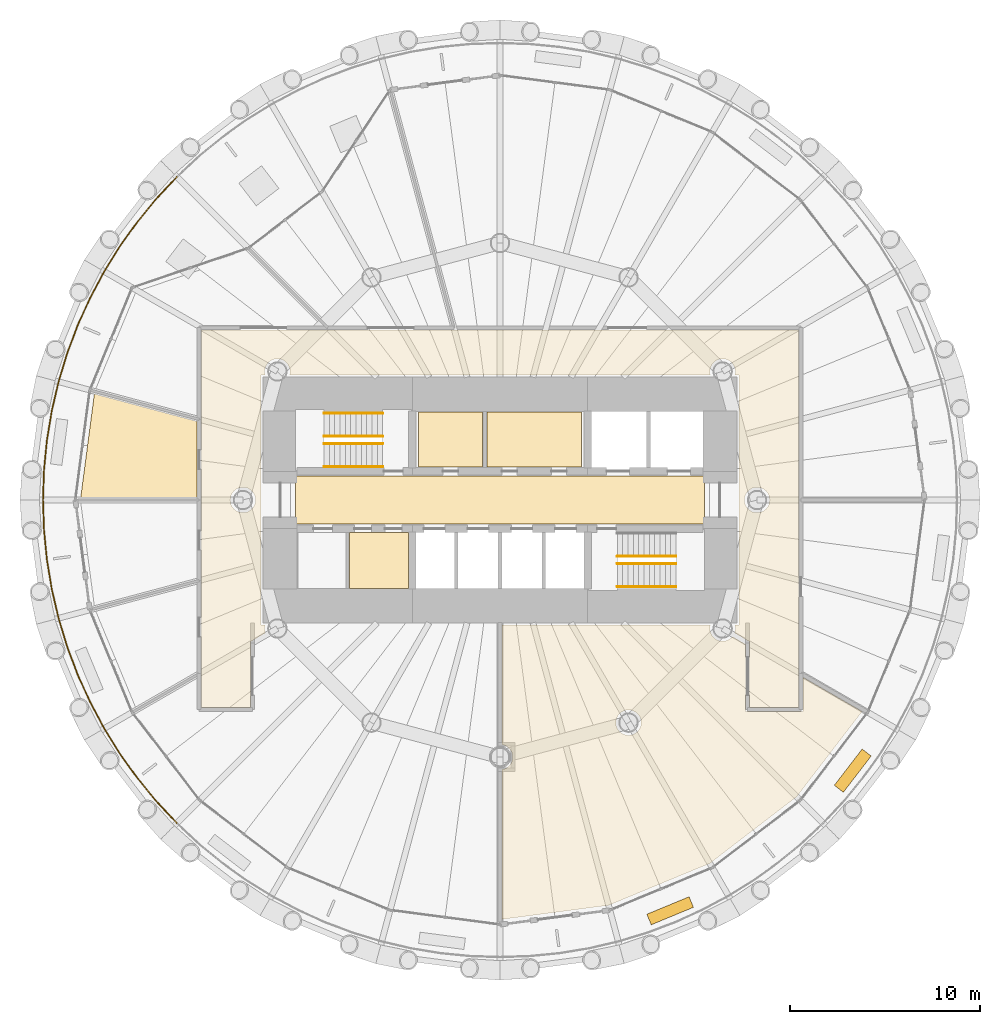
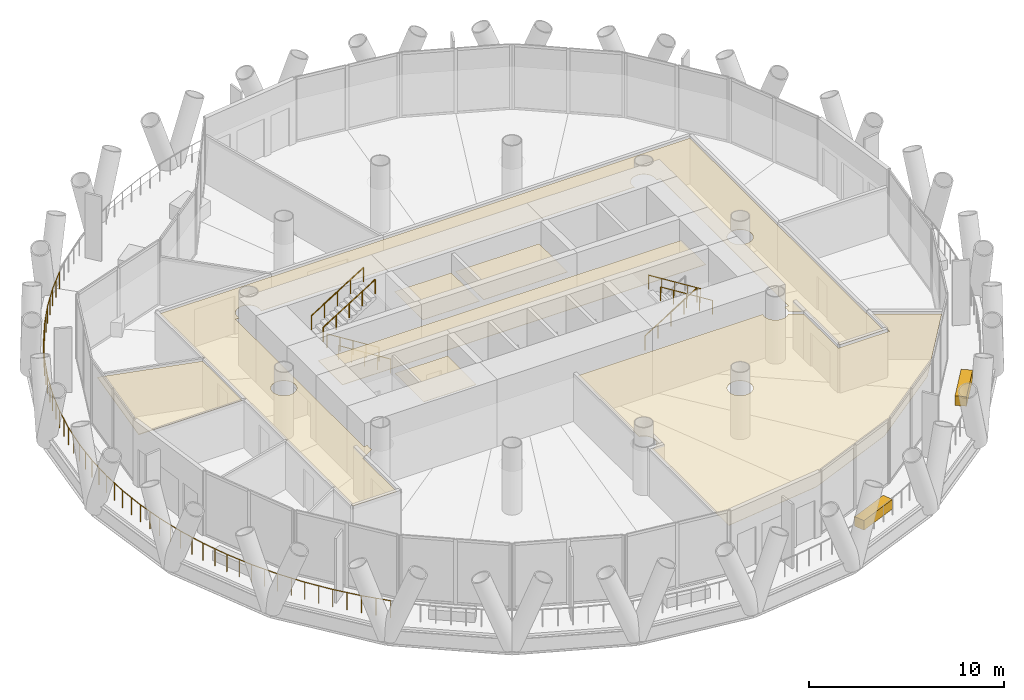
# One storey, part 12 of 14: 9 coverings, 8 railings.
"""IFC4 building model written with IfcOpenShell, lengths in metres."""

from ifc_helpers import new_model, si_unit, direction, frame, origin, origin_2d, place, context, subcontext, project, spatial, polyline, rectangle, circle, outline, extrude, material, layer, layer_set, type_object, element, save


model = new_model("IFC4")

# Units and contexts
model_context = context("Model", 3, precision=1e-05, world=origin(), true_north=direction((0.0, 1.0)))
body_context = subcontext(model_context, "Body", "Model", "MODEL_VIEW")
ifc_project = project(units=[si_unit("LENGTHUNIT", "METRE"), si_unit("AREAUNIT", "SQUARE_METRE"), si_unit("VOLUMEUNIT", "CUBIC_METRE"), si_unit("PLANEANGLEUNIT", "RADIAN"), si_unit("MASSUNIT", "GRAM", prefix="KILO")], contexts=[model_context])

# Site, building, storey
site_placement = place(None, origin())
site = spatial("IfcSite", under=ifc_project, at=site_placement, CompositionType="ELEMENT")
building_placement = place(site_placement, origin())
building = spatial("IfcBuilding", under=site, at=building_placement, Name="Qaws Media Tower", CompositionType="ELEMENT")
storey_placement = place(building_placement, frame((0.0, 0.0, 160.39990234375)))
storey = spatial("IfcBuildingStorey", under=building, at=storey_placement, Name="L36", CompositionType="ELEMENT", Elevation=160.39990234375)

# Covering
ifc_material_1 = material(Name="40 perforated acoustic panels with mineral wool backing, suspended", Category="mineral fibre")
ifc_layer_1 = layer(ifc_material_1, 0.0400390625)
ifc_layer_set_1 = layer_set([ifc_layer_1], Name="Acoustic panel ceiling 40")
covering_type_1 = type_object("IfcCoveringType", Name="Acoustic panel ceiling 40", PredefinedType="CEILING", material=ifc_layer_set_1)
covering_1_placement = place(storey_placement, frame((0.0, 0.0, 2.85009765625)))
element("IfcCovering", 1, at=covering_1_placement, inside=storey, type_object=covering_type_1, Name="CL3 ceiling L36-05 Interview room", PredefinedType="CEILING", context=body_context, shape_type="SweptSolid", body=[
    extrude(outline(polyline([(38.70068359375, 55.590576171875), (44.08740234375, 54.147216796875), (44.08740234375, 50.112548828125), (37.9794921875, 50.112548828125), (38.70068359375, 55.590576171875)])), origin(), (0.0, 0.0, 1.0), 0.0400390625),
])

# Railing
ifc_material_2 = material(Name="Stainless steel and glass guard", Category="steel")
railing_type_1 = type_object("IfcRailingType", Name="Balcony guard 1100", PredefinedType="GUARDRAIL", material=ifc_material_2)
railing_placement = place(storey_placement, frame((43.029541015625, 66.970458984375, 0.0)))
element("IfcRailing", 2, at=railing_placement, inside=storey, type_object=railing_type_1, Name="GR1 balcony guard L36-2", PredefinedType="GUARDRAIL", context=body_context, shape_type="SweptSolid", body=[
    extrude(circle(Radius=0.02392578125, at=origin_2d()), frame((0.0, 0.0, 1.076171875), z_axis=(-0.683646341922, -0.729813455053, 0.0), x_axis=(0.729813455053, -0.683646341922, 0.0)), (0.0, 0.0, 1.0), 1.570556640625),
    extrude(circle(Radius=0.02392578125, at=origin_2d()), frame((-1.07373046875, -1.146240234375, 1.076171875), z_axis=(-0.63444763195, -0.77296584809, 0.0), x_axis=(0.77296584809, -0.63444763195, 0.0)), (0.0, 0.0, 1.0), 1.5703125),
    extrude(circle(Radius=0.02392578125, at=origin_2d()), frame((-2.070068359375, -2.360107421875, 1.076171875), z_axis=(-0.582472724726, -0.812850247555, 0.0), x_axis=(0.812850247555, -0.582472724726, 0.0)), (0.0, 0.0, 1.0), 1.570556640625),
    extrude(circle(Radius=0.02392578125, at=origin_2d()), frame((-2.98486328125, -3.63671875, 1.076171875), z_axis=(-0.528055328802, -0.849209967984, 0.0), x_axis=(0.849209967984, -0.528055328802, 0.0)), (0.0, 0.0, 1.0), 1.570556640625),
    extrude(circle(Radius=0.02392578125, at=origin_2d()), frame((-3.814208984375, -4.970458984375, 1.076171875), z_axis=(-0.471362677406, -0.881939468642, 0.0), x_axis=(0.881939468642, -0.471362677406, 0.0)), (0.0, 0.0, 1.0), 1.5703125),
    extrude(circle(Radius=0.02392578125, at=origin_2d()), frame((-4.554443359375, -6.35546875, 1.076171875), z_axis=(-0.412690076585, -0.910871506135, 0.0), x_axis=(0.910871506135, -0.412690076585, 0.0)), (0.0, 0.0, 1.0), 1.570556640625),
    extrude(circle(Radius=0.02392578125, at=origin_2d()), frame((-5.20263671875, -7.7861328125, 1.076171875), z_axis=(-0.35228169997, -0.935894013159, 0.0), x_axis=(0.935894013159, -0.35228169997, 0.0)), (0.0, 0.0, 1.0), 1.5703125),
    extrude(circle(Radius=0.02392578125, at=origin_2d()), frame((-5.755859375, -9.255859375, 1.076171875), z_axis=(-0.290227424961, -0.956957701155, 0.0), x_axis=(0.956957701155, -0.290227424961, 0.0)), (0.0, 0.0, 1.0), 1.570556640625),
    extrude(circle(Radius=0.02392578125, at=origin_2d()), frame((-6.211669921875, -10.7587890625, 1.076171875), z_axis=(-0.227106763871, -0.973869866976, 0.0), x_axis=(0.973869866976, -0.227106763871, 0.0)), (0.0, 0.0, 1.0), 1.570556640625),
    extrude(circle(Radius=0.02392578125, at=origin_2d()), frame((-6.568359375, -12.288330078125, 1.076171875), z_axis=(-0.162911522757, -0.98664068219, 0.0), x_axis=(0.98664068219, -0.162911522757, 0.0)), (0.0, 0.0, 1.0), 1.570556640625),
    extrude(circle(Radius=0.02392578125, at=origin_2d()), frame((-6.82421875, -13.837890625, 1.076171875), z_axis=(-0.098087656745, -0.995177778889, 0.0), x_axis=(0.995177778889, -0.098087656745, 0.0)), (0.0, 0.0, 1.0), 1.570556640625),
    extrude(circle(Radius=0.02392578125, at=origin_2d()), frame((-6.978271484375, -15.40087890625, 1.076171875), z_axis=(-0.03264707697, -0.999466942107, 0.0), x_axis=(0.999466942107, -0.03264707697, 0.0)), (0.0, 0.0, 1.0), 1.5703125),
    extrude(circle(Radius=0.02392578125, at=origin_2d()), frame((-7.029541015625, -16.970458984375, 1.076171875), z_axis=(0.03264707697, -0.999466942107, 0.0), x_axis=(0.999466942107, 0.03264707697, 0.0)), (0.0, 0.0, 1.0), 1.5703125),
    extrude(circle(Radius=0.02392578125, at=origin_2d()), frame((-6.978271484375, -18.5400390625, 1.076171875), z_axis=(0.098087656745, -0.995177778889, 0.0), x_axis=(0.995177778889, 0.098087656745, 0.0)), (0.0, 0.0, 1.0), 1.570556640625),
    extrude(circle(Radius=0.02392578125, at=origin_2d()), frame((-6.82421875, -20.10302734375, 1.076171875), z_axis=(0.162911522757, -0.98664068219, 0.0), x_axis=(0.98664068219, 0.162911522757, 0.0)), (0.0, 0.0, 1.0), 1.570556640625),
    extrude(circle(Radius=0.02392578125, at=origin_2d()), frame((-6.568359375, -21.652587890625, 1.076171875), z_axis=(0.227106763871, -0.973869866976, 0.0), x_axis=(0.973869866976, 0.227106763871, 0.0)), (0.0, 0.0, 1.0), 1.570556640625),
    extrude(circle(Radius=0.02392578125, at=origin_2d()), frame((-6.211669921875, -23.18212890625, 1.076171875), z_axis=(0.290227424961, -0.956957701155, 0.0), x_axis=(0.956957701155, 0.290227424961, 0.0)), (0.0, 0.0, 1.0), 1.570556640625),
    extrude(circle(Radius=0.02392578125, at=origin_2d()), frame((-5.755859375, -24.68505859375, 1.076171875), z_axis=(0.35228169997, -0.935894013159, 0.0), x_axis=(0.935894013159, 0.35228169997, 0.0)), (0.0, 0.0, 1.0), 1.5703125),
    extrude(circle(Radius=0.02392578125, at=origin_2d()), frame((-5.20263671875, -26.15478515625, 1.076171875), z_axis=(0.412690076585, -0.910871506135, 0.0), x_axis=(0.910871506135, 0.412690076585, 0.0)), (0.0, 0.0, 1.0), 1.570556640625),
    extrude(circle(Radius=0.02392578125, at=origin_2d()), frame((-4.554443359375, -27.58544921875, 1.076171875), z_axis=(0.471362677406, -0.881939468642, 0.0), x_axis=(0.881939468642, 0.471362677406, 0.0)), (0.0, 0.0, 1.0), 1.5703125),
    extrude(circle(Radius=0.02392578125, at=origin_2d()), frame((-3.814208984375, -28.970458984375, 1.076171875), z_axis=(0.528055328802, -0.849209967984, 0.0), x_axis=(0.849209967984, 0.528055328802, 0.0)), (0.0, 0.0, 1.0), 1.570556640625),
    extrude(circle(Radius=0.02392578125, at=origin_2d()), frame((-2.98486328125, -30.30419921875, 1.076171875), z_axis=(0.582472724726, -0.812850247555, 0.0), x_axis=(0.812850247555, 0.582472724726, 0.0)), (0.0, 0.0, 1.0), 1.570556640625),
    extrude(circle(Radius=0.02392578125, at=origin_2d()), frame((-2.070068359375, -31.580810546875, 1.076171875), z_axis=(0.63444763195, -0.77296584809, 0.0), x_axis=(0.77296584809, 0.63444763195, 0.0)), (0.0, 0.0, 1.0), 1.5703125),
    extrude(circle(Radius=0.02392578125, at=origin_2d()), frame((-1.07373046875, -32.794677734375, 1.076171875), z_axis=(0.683646341922, -0.729813455053, 0.0), x_axis=(0.729813455053, 0.683646341922, 0.0)), (0.0, 0.0, 1.0), 1.570556640625),
    extrude(circle(Radius=0.02099609375, at=origin_2d()), origin(), (0.0, 0.0, 1.0), 1.052001953125),
    extrude(circle(Radius=0.02099609375, at=origin_2d()), frame((-0.536865234375, -0.5732421875, 0.0)), (0.0, 0.0, 1.0), 1.052001953125),
    extrude(circle(Radius=0.02099609375, at=origin_2d()), frame((-1.07373046875, -1.146240234375, 0.0)), (0.0, 0.0, 1.0), 1.052001953125),
    extrude(circle(Radius=0.02099609375, at=origin_2d()), frame((-1.57177734375, -1.753173828125, 0.0)), (0.0, 0.0, 1.0), 1.052001953125),
    extrude(circle(Radius=0.02099609375, at=origin_2d()), frame((-2.070068359375, -2.360107421875, 0.0)), (0.0, 0.0, 1.0), 1.052001953125),
    extrude(circle(Radius=0.02099609375, at=origin_2d()), frame((-2.52734375, -2.99853515625, 0.0)), (0.0, 0.0, 1.0), 1.052001953125),
    extrude(circle(Radius=0.02099609375, at=origin_2d()), frame((-2.98486328125, -3.63671875, 0.0)), (0.0, 0.0, 1.0), 1.052001953125),
    extrude(circle(Radius=0.02099609375, at=origin_2d()), frame((-3.3994140625, -4.3037109375, 0.0)), (0.0, 0.0, 1.0), 1.052001953125),
    extrude(circle(Radius=0.02099609375, at=origin_2d()), frame((-3.814208984375, -4.970458984375, 0.0)), (0.0, 0.0, 1.0), 1.052001953125),
    extrude(circle(Radius=0.02099609375, at=origin_2d()), frame((-4.184326171875, -5.6630859375, 0.0)), (0.0, 0.0, 1.0), 1.052001953125),
    extrude(circle(Radius=0.02099609375, at=origin_2d()), frame((-4.554443359375, -6.35546875, 0.0)), (0.0, 0.0, 1.0), 1.052001953125),
    extrude(circle(Radius=0.02099609375, at=origin_2d()), frame((-4.87841796875, -7.07080078125, 0.0)), (0.0, 0.0, 1.0), 1.052001953125),
    extrude(circle(Radius=0.02099609375, at=origin_2d()), frame((-5.20263671875, -7.7861328125, 0.0)), (0.0, 0.0, 1.0), 1.052001953125),
    extrude(circle(Radius=0.02099609375, at=origin_2d()), frame((-5.479248046875, -8.52099609375, 0.0)), (0.0, 0.0, 1.0), 1.052001953125),
    extrude(circle(Radius=0.02099609375, at=origin_2d()), frame((-5.755859375, -9.255859375, 0.0)), (0.0, 0.0, 1.0), 1.052001953125),
    extrude(circle(Radius=0.02099609375, at=origin_2d()), frame((-5.98388671875, -10.00732421875, 0.0)), (0.0, 0.0, 1.0), 1.052001953125),
    extrude(circle(Radius=0.02099609375, at=origin_2d()), frame((-6.211669921875, -10.7587890625, 0.0)), (0.0, 0.0, 1.0), 1.052001953125),
    extrude(circle(Radius=0.02099609375, at=origin_2d()), frame((-6.39013671875, -11.5234375, 0.0)), (0.0, 0.0, 1.0), 1.052001953125),
    extrude(circle(Radius=0.02099609375, at=origin_2d()), frame((-6.568359375, -12.288330078125, 0.0)), (0.0, 0.0, 1.0), 1.052001953125),
    extrude(circle(Radius=0.02099609375, at=origin_2d()), frame((-6.6962890625, -13.06298828125, 0.0)), (0.0, 0.0, 1.0), 1.052001953125),
    extrude(circle(Radius=0.02099609375, at=origin_2d()), frame((-6.82421875, -13.837890625, 0.0)), (0.0, 0.0, 1.0), 1.052001953125),
    extrude(circle(Radius=0.02099609375, at=origin_2d()), frame((-6.9013671875, -14.619384765625, 0.0)), (0.0, 0.0, 1.0), 1.052001953125),
    extrude(circle(Radius=0.02099609375, at=origin_2d()), frame((-6.978271484375, -15.40087890625, 0.0)), (0.0, 0.0, 1.0), 1.052001953125),
    extrude(circle(Radius=0.02099609375, at=origin_2d()), frame((-7.00390625, -16.185546875, 0.0)), (0.0, 0.0, 1.0), 1.052001953125),
    extrude(circle(Radius=0.02099609375, at=origin_2d()), frame((-7.029541015625, -16.970458984375, 0.0)), (0.0, 0.0, 1.0), 1.052001953125),
    extrude(circle(Radius=0.02099609375, at=origin_2d()), frame((-7.00390625, -17.75537109375, 0.0)), (0.0, 0.0, 1.0), 1.052001953125),
    extrude(circle(Radius=0.02099609375, at=origin_2d()), frame((-6.978271484375, -18.5400390625, 0.0)), (0.0, 0.0, 1.0), 1.052001953125),
    extrude(circle(Radius=0.02099609375, at=origin_2d()), frame((-6.9013671875, -19.321533203125, 0.0)), (0.0, 0.0, 1.0), 1.052001953125),
    extrude(circle(Radius=0.02099609375, at=origin_2d()), frame((-6.82421875, -20.10302734375, 0.0)), (0.0, 0.0, 1.0), 1.052001953125),
    extrude(circle(Radius=0.02099609375, at=origin_2d()), frame((-6.6962890625, -20.8779296875, 0.0)), (0.0, 0.0, 1.0), 1.052001953125),
    extrude(circle(Radius=0.02099609375, at=origin_2d()), frame((-6.568359375, -21.652587890625, 0.0)), (0.0, 0.0, 1.0), 1.052001953125),
    extrude(circle(Radius=0.02099609375, at=origin_2d()), frame((-6.39013671875, -22.41748046875, 0.0)), (0.0, 0.0, 1.0), 1.052001953125),
    extrude(circle(Radius=0.02099609375, at=origin_2d()), frame((-6.211669921875, -23.18212890625, 0.0)), (0.0, 0.0, 1.0), 1.052001953125),
    extrude(circle(Radius=0.02099609375, at=origin_2d()), frame((-5.98388671875, -23.93359375, 0.0)), (0.0, 0.0, 1.0), 1.052001953125),
    extrude(circle(Radius=0.02099609375, at=origin_2d()), frame((-5.755859375, -24.68505859375, 0.0)), (0.0, 0.0, 1.0), 1.052001953125),
    extrude(circle(Radius=0.02099609375, at=origin_2d()), frame((-5.479248046875, -25.419921875, 0.0)), (0.0, 0.0, 1.0), 1.052001953125),
    extrude(circle(Radius=0.02099609375, at=origin_2d()), frame((-5.20263671875, -26.15478515625, 0.0)), (0.0, 0.0, 1.0), 1.052001953125),
    extrude(circle(Radius=0.02099609375, at=origin_2d()), frame((-4.87841796875, -26.8701171875, 0.0)), (0.0, 0.0, 1.0), 1.052001953125),
    extrude(circle(Radius=0.02099609375, at=origin_2d()), frame((-4.554443359375, -27.58544921875, 0.0)), (0.0, 0.0, 1.0), 1.052001953125),
    extrude(circle(Radius=0.02099609375, at=origin_2d()), frame((-4.184326171875, -28.27783203125, 0.0)), (0.0, 0.0, 1.0), 1.052001953125),
    extrude(circle(Radius=0.02099609375, at=origin_2d()), frame((-3.814208984375, -28.970458984375, 0.0)), (0.0, 0.0, 1.0), 1.052001953125),
    extrude(circle(Radius=0.02099609375, at=origin_2d()), frame((-3.3994140625, -29.63720703125, 0.0)), (0.0, 0.0, 1.0), 1.052001953125),
    extrude(circle(Radius=0.02099609375, at=origin_2d()), frame((-2.98486328125, -30.30419921875, 0.0)), (0.0, 0.0, 1.0), 1.052001953125),
    extrude(circle(Radius=0.02099609375, at=origin_2d()), frame((-2.52734375, -30.9423828125, 0.0)), (0.0, 0.0, 1.0), 1.052001953125),
    extrude(circle(Radius=0.02099609375, at=origin_2d()), frame((-2.070068359375, -31.580810546875, 0.0)), (0.0, 0.0, 1.0), 1.052001953125),
    extrude(circle(Radius=0.02099609375, at=origin_2d()), frame((-1.57177734375, -32.187744140625, 0.0)), (0.0, 0.0, 1.0), 1.052001953125),
    extrude(circle(Radius=0.02099609375, at=origin_2d()), frame((-1.07373046875, -32.794677734375, 0.0)), (0.0, 0.0, 1.0), 1.052001953125),
    extrude(circle(Radius=0.02099609375, at=origin_2d()), frame((-0.536865234375, -33.36767578125, 0.0)), (0.0, 0.0, 1.0), 1.052001953125),
    extrude(circle(Radius=0.02099609375, at=origin_2d()), frame((0.0, -33.94091796875, 0.0)), (0.0, 0.0, 1.0), 1.052001953125),
])

# Coverings
ifc_material_3 = material(Name="600 x 600 mineral fibre tiles in exposed grid, suspended", Category="mineral fibre")
ifc_layer_2 = layer(ifc_material_3, 0.02001953125)
ifc_layer_set_2 = layer_set([ifc_layer_2], Name="Mineral fibre tile ceiling 20")
covering_type_2 = type_object("IfcCoveringType", Name="Mineral fibre tile ceiling 20", PredefinedType="CEILING", material=ifc_layer_set_2)
covering_2_placement = place(storey_placement, frame((0.0, 0.0, 2.85009765625)))
element("IfcCovering", 3, at=covering_2_placement, inside=storey, type_object=covering_type_2, Name="CL1 ceiling L36-C07 Ladies toilets", PredefinedType="CEILING", context=body_context, shape_type="SweptSolid", body=[
    extrude(outline(polyline([(55.719970703125, 51.719970703125), (55.719970703125, 54.6298828125), (59.080078125, 54.6298828125), (59.080078125, 51.719970703125), (55.719970703125, 51.719970703125)])), origin(), (0.0, 0.0, 1.0), 0.02001953125),
])
covering_3_placement = place(storey_placement, frame((0.0, 0.0, 2.85009765625)))
element("IfcCovering", 4, at=covering_3_placement, inside=storey, type_object=covering_type_2, Name="CL1 ceiling L36-C08 Gents toilets", PredefinedType="CEILING", context=body_context, shape_type="SweptSolid", body=[
    extrude(outline(polyline([(59.320068359375, 51.719970703125), (59.320068359375, 54.6298828125), (64.280029296875, 54.6298828125), (64.280029296875, 51.719970703125), (59.320068359375, 51.719970703125)])), origin(), (0.0, 0.0, 1.0), 0.02001953125),
])
covering_4_placement = place(storey_placement, frame((0.0, 0.0, 2.85009765625)))
element("IfcCovering", 5, at=covering_4_placement, inside=storey, type_object=covering_type_2, Name="CL1 ceiling L36-01 Corridor", PredefinedType="CEILING", context=body_context, shape_type="SweptSolid", body=[
    extrude(outline(polyline([(44.3125, 39.112548828125), (44.3125, 58.9375), (75.6875, 58.9375), (75.6875, 39.112548828125), (73.112548828125, 39.112548828125), (73.112548828125, 42.559326171875), (72.31689453125, 43.018798828125), (72.336669921875, 43.0771484375), (72.353515625, 43.162841796875), (72.359375, 43.25), (72.353515625, 43.337158203125), (72.336669921875, 43.4228515625), (72.33154296875, 43.4375), (72.5625, 43.4375), (72.5625, 56.5625), (72.33154296875, 56.5625), (72.336669921875, 56.5771484375), (72.353515625, 56.662841796875), (72.359375, 56.75), (72.353515625, 56.837158203125), (72.336669921875, 56.9228515625), (72.30859375, 57.005615234375), (72.269775390625, 57.083984375), (72.22119140625, 57.15673828125), (72.163818359375, 57.222412109375), (72.097900390625, 57.280029296875), (72.025390625, 57.32861328125), (71.947021484375, 57.3671875), (71.8642578125, 57.395263671875), (71.778564453125, 57.412353515625), (71.69140625, 57.41796875), (71.604248046875, 57.412353515625), (71.5185546875, 57.395263671875), (71.435791015625, 57.3671875), (71.357421875, 57.32861328125), (71.28466796875, 57.280029296875), (71.218994140625, 57.222412109375), (71.161376953125, 57.15673828125), (71.11279296875, 57.083984375), (71.07421875, 57.005615234375), (71.046142578125, 56.9228515625), (71.029052734375, 56.837158203125), (71.023193359375, 56.75), (71.029052734375, 56.662841796875), (71.046142578125, 56.5771484375), (71.051025390625, 56.5625), (48.948974609375, 56.5625), (48.953857421875, 56.5771484375), (48.970947265625, 56.662841796875), (48.976806640625, 56.75), (48.970947265625, 56.837158203125), (48.953857421875, 56.9228515625), (48.92578125, 57.005615234375), (48.88720703125, 57.083984375), (48.838623046875, 57.15673828125), (48.781005859375, 57.222412109375), (48.71533203125, 57.280029296875), (48.642578125, 57.32861328125), (48.564208984375, 57.3671875), (48.4814453125, 57.395263671875), (48.395751953125, 57.412353515625), (48.30859375, 57.41796875), (48.221435546875, 57.412353515625), (48.1357421875, 57.395263671875), (48.052978515625, 57.3671875), (47.974609375, 57.32861328125), (47.902099609375, 57.280029296875), (47.836181640625, 57.222412109375), (47.77880859375, 57.15673828125), (47.730224609375, 57.083984375), (47.69140625, 57.005615234375), (47.663330078125, 56.9228515625), (47.646484375, 56.837158203125), (47.640625, 56.75), (47.646484375, 56.662841796875), (47.663330078125, 56.5771484375), (47.66845703125, 56.5625), (47.4375, 56.5625), (47.4375, 43.4375), (47.66845703125, 43.4375), (47.663330078125, 43.4228515625), (47.646484375, 43.337158203125), (47.640625, 43.25), (47.646484375, 43.162841796875), (47.663330078125, 43.0771484375), (47.68310546875, 43.018798828125), (46.887451171875, 42.559326171875), (46.887451171875, 39.112548828125), (44.3125, 39.112548828125)]), holes=[polyline([(47.1171875, 49.744384765625), (47.145263671875, 49.8271484375), (47.162353515625, 49.912841796875), (47.16796875, 50.0), (47.162353515625, 50.087158203125), (47.145263671875, 50.1728515625), (47.1171875, 50.255615234375), (47.07861328125, 50.333984375), (47.030029296875, 50.40673828125), (46.972412109375, 50.472412109375), (46.90673828125, 50.530029296875), (46.833984375, 50.57861328125), (46.755615234375, 50.6171875), (46.6728515625, 50.645263671875), (46.587158203125, 50.662353515625), (46.5, 50.66796875), (46.412841796875, 50.662353515625), (46.3271484375, 50.645263671875), (46.244384765625, 50.6171875), (46.166015625, 50.57861328125), (46.09326171875, 50.530029296875), (46.027587890625, 50.472412109375), (45.969970703125, 50.40673828125), (45.92138671875, 50.333984375), (45.8828125, 50.255615234375), (45.854736328125, 50.1728515625), (45.837646484375, 50.087158203125), (45.83203125, 50.0), (45.837646484375, 49.912841796875), (45.854736328125, 49.8271484375), (45.8828125, 49.744384765625), (45.92138671875, 49.666015625), (45.969970703125, 49.59326171875), (46.027587890625, 49.527587890625), (46.09326171875, 49.469970703125), (46.166015625, 49.42138671875), (46.244384765625, 49.3828125), (46.3271484375, 49.354736328125), (46.412841796875, 49.337646484375), (46.5, 49.33203125), (46.587158203125, 49.337646484375), (46.6728515625, 49.354736328125), (46.755615234375, 49.3828125), (46.833984375, 49.42138671875), (46.90673828125, 49.469970703125), (46.972412109375, 49.527587890625), (47.030029296875, 49.59326171875), (47.07861328125, 49.666015625), (47.1171875, 49.744384765625)]), polyline([(74.145263671875, 49.8271484375), (74.162353515625, 49.912841796875), (74.16796875, 50.0), (74.162353515625, 50.087158203125), (74.145263671875, 50.1728515625), (74.1171875, 50.255615234375), (74.07861328125, 50.333984375), (74.030029296875, 50.40673828125), (73.972412109375, 50.472412109375), (73.90673828125, 50.530029296875), (73.833984375, 50.57861328125), (73.755615234375, 50.6171875), (73.6728515625, 50.645263671875), (73.587158203125, 50.662353515625), (73.5, 50.66796875), (73.412841796875, 50.662353515625), (73.3271484375, 50.645263671875), (73.244384765625, 50.6171875), (73.166015625, 50.57861328125), (73.09326171875, 50.530029296875), (73.027587890625, 50.472412109375), (72.969970703125, 50.40673828125), (72.92138671875, 50.333984375), (72.8828125, 50.255615234375), (72.854736328125, 50.1728515625), (72.837646484375, 50.087158203125), (72.83203125, 50.0), (72.837646484375, 49.912841796875), (72.854736328125, 49.8271484375), (72.8828125, 49.744384765625), (72.92138671875, 49.666015625), (72.969970703125, 49.59326171875), (73.027587890625, 49.527587890625), (73.09326171875, 49.469970703125), (73.166015625, 49.42138671875), (73.244384765625, 49.3828125), (73.3271484375, 49.354736328125), (73.412841796875, 49.337646484375), (73.5, 49.33203125), (73.587158203125, 49.337646484375), (73.6728515625, 49.354736328125), (73.755615234375, 49.3828125), (73.833984375, 49.42138671875), (73.90673828125, 49.469970703125), (73.972412109375, 49.527587890625), (74.030029296875, 49.59326171875), (74.07861328125, 49.666015625), (74.1171875, 49.744384765625), (74.145263671875, 49.8271484375)])]), origin(), (0.0, 0.0, 1.0), 0.02001953125),
])
covering_5_placement = place(storey_placement, frame((0.0, 0.0, 2.85009765625)))
element("IfcCovering", 6, at=covering_5_placement, inside=storey, type_object=covering_type_2, Name="CL1 ceiling L36-09 HR office", PredefinedType="CEILING", context=body_context, shape_type="SweptSolid", body=[
    extrude(outline(polyline([(72.887451171875, 38.887451171875), (75.91259765625, 38.887451171875), (75.91259765625, 40.68310546875), (79.013916015625, 38.892333984375), (75.581298828125, 34.418701171875), (71.017578125, 30.9169921875), (65.703125, 28.715576171875), (60.112548828125, 27.9794921875), (60.112548828125, 35.8427734375), (60.1728515625, 35.854736328125), (60.255615234375, 35.8828125), (60.333984375, 35.92138671875), (60.40673828125, 35.969970703125), (60.472412109375, 36.027587890625), (60.530029296875, 36.09326171875), (60.57861328125, 36.166015625), (60.6171875, 36.244384765625), (60.645263671875, 36.3271484375), (60.662353515625, 36.412841796875), (60.66796875, 36.5), (60.662353515625, 36.587158203125), (60.645263671875, 36.6728515625), (60.6171875, 36.755615234375), (60.57861328125, 36.833984375), (60.530029296875, 36.90673828125), (60.472412109375, 36.972412109375), (60.40673828125, 37.030029296875), (60.333984375, 37.07861328125), (60.255615234375, 37.1171875), (60.1728515625, 37.145263671875), (60.112548828125, 37.1572265625), (60.112548828125, 43.4375), (71.051025390625, 43.4375), (71.046142578125, 43.4228515625), (71.029052734375, 43.337158203125), (71.023193359375, 43.25), (71.029052734375, 43.162841796875), (71.046142578125, 43.0771484375), (71.07421875, 42.994384765625), (71.11279296875, 42.916015625), (71.161376953125, 42.84326171875), (71.218994140625, 42.777587890625), (71.28466796875, 42.719970703125), (71.357421875, 42.67138671875), (71.435791015625, 42.6328125), (71.5185546875, 42.604736328125), (71.604248046875, 42.587646484375), (71.69140625, 42.58203125), (71.778564453125, 42.587646484375), (71.8642578125, 42.604736328125), (71.947021484375, 42.6328125), (72.025390625, 42.67138671875), (72.097900390625, 42.719970703125), (72.163818359375, 42.777587890625), (72.204345703125, 42.823974609375), (72.887451171875, 42.429443359375), (72.887451171875, 38.887451171875)]), holes=[polyline([(67.3671875, 38.052978515625), (67.395263671875, 38.1357421875), (67.412353515625, 38.221435546875), (67.41796875, 38.30859375), (67.412353515625, 38.395751953125), (67.395263671875, 38.4814453125), (67.3671875, 38.564208984375), (67.32861328125, 38.642578125), (67.280029296875, 38.71533203125), (67.222412109375, 38.781005859375), (67.15673828125, 38.838623046875), (67.083984375, 38.88720703125), (67.005615234375, 38.92578125), (66.9228515625, 38.953857421875), (66.837158203125, 38.970947265625), (66.75, 38.976806640625), (66.662841796875, 38.970947265625), (66.5771484375, 38.953857421875), (66.494384765625, 38.92578125), (66.416015625, 38.88720703125), (66.34326171875, 38.838623046875), (66.277587890625, 38.781005859375), (66.219970703125, 38.71533203125), (66.17138671875, 38.642578125), (66.1328125, 38.564208984375), (66.104736328125, 38.4814453125), (66.087646484375, 38.395751953125), (66.08203125, 38.30859375), (66.087646484375, 38.221435546875), (66.104736328125, 38.1357421875), (66.1328125, 38.052978515625), (66.17138671875, 37.974609375), (66.219970703125, 37.902099609375), (66.277587890625, 37.836181640625), (66.34326171875, 37.77880859375), (66.416015625, 37.730224609375), (66.494384765625, 37.69140625), (66.5771484375, 37.663330078125), (66.662841796875, 37.646484375), (66.75, 37.640625), (66.837158203125, 37.646484375), (66.9228515625, 37.663330078125), (67.005615234375, 37.69140625), (67.083984375, 37.730224609375), (67.15673828125, 37.77880859375), (67.222412109375, 37.836181640625), (67.280029296875, 37.902099609375), (67.32861328125, 37.974609375), (67.3671875, 38.052978515625)])]), origin(), (0.0, 0.0, 1.0), 0.02001953125),
])
covering_6_placement = place(storey_placement, frame((0.0, 0.0, 2.85009765625)))
element("IfcCovering", 7, at=covering_6_placement, inside=storey, type_object=covering_type_2, Name="CL1 ceiling L36-C05 Shower room", PredefinedType="CEILING", context=body_context, shape_type="SweptSolid", body=[
    extrude(outline(polyline([(52.10009765625, 45.35009765625), (52.10009765625, 48.300048828125), (55.199951171875, 48.300048828125), (55.199951171875, 45.35009765625), (52.10009765625, 45.35009765625)])), origin(), (0.0, 0.0, 1.0), 0.02001953125),
])
ifc_material_4 = material(Name="Precast concrete planter with trailing planting", Category="concrete")
ifc_layer_3 = layer(ifc_material_4, 0.60009765625)
ifc_layer_set_3 = layer_set([ifc_layer_3], Name="Planter 2400x600")
covering_type_3 = type_object("IfcCoveringType", Name="Planter 2400x600", PredefinedType="USERDEFINED", material=ifc_layer_set_3)
for number, where, z_axis, x_axis, name in (
    (8, (68.935546875, 28.427490234375, 0.0), (0.0, 0.0, 1.0), (0.923879532511, 0.382683432365, 0.0), "PL1 balcony planter L36-10"),
    (9, (78.52490234375, 35.785400390625, 0.0), (0.0, 0.0, 1.0), (0.608761429009, 0.793353340291, 0.0), "PL1 balcony planter L36-11"),
):
    element("IfcCovering", number, at=place(storey_placement, frame(where, z_axis=z_axis, x_axis=x_axis)), inside=storey, type_object=covering_type_3, Name=name, ObjectType="PLANTER", PredefinedType="USERDEFINED", context=body_context, shape_type="SweptSolid", body=[
        extrude(rectangle(XDim=2.39990234375, YDim=0.60009765625, at=origin_2d()), origin(), (0.0, 0.0, 1.0), 0.60009765625),
    ])
ifc_material_5 = material(Name="Two layers 12.5 moisture-resistant plasterboard on suspended metal furring", Category="gypsum")
ifc_layer_4 = layer(ifc_material_5, 0.02490234375)
ifc_layer_set_4 = layer_set([ifc_layer_4], Name="Plasterboard ceiling 25")
covering_type_4 = type_object("IfcCoveringType", Name="Plasterboard ceiling 25", PredefinedType="CEILING", material=ifc_layer_set_4)
covering_7_placement = place(storey_placement, frame((0.0, 0.0, 2.85009765625)))
element("IfcCovering", 10, at=covering_7_placement, inside=storey, type_object=covering_type_4, Name="CL2 ceiling L36-C01 Lift lobby", PredefinedType="CEILING", context=body_context, shape_type="SweptSolid", body=[
    extrude(outline(polyline([(49.25, 48.75), (49.25, 51.25), (70.75, 51.25), (70.75, 48.75), (49.25, 48.75)])), origin(), (0.0, 0.0, 1.0), 0.02490234375),
])

# Railings
ifc_material_6 = material(Name="Steel tube handrail", Category="steel")
railing_type_2 = type_object("IfcRailingType", Name="Stair handrail 900", PredefinedType="HANDRAIL", material=ifc_material_6)
for number, where, name in (
    (11, (53.840087890625, 51.75, 0.175048828125), "HR1 handrail S1 flight 1 L36"),
    (12, (53.840087890625, 52.9599609375, 0.175048828125), "HR1 handrail S1 flight 1 L36"),
):
    element("IfcRailing", number, at=place(storey_placement, frame(where)), inside=storey, type_object=railing_type_2, Name=name, PredefinedType="HANDRAIL", context=body_context, shape_type="SweptSolid", body=[
        extrude(circle(Radius=0.02392578125, at=origin_2d()), frame((0.0, 0.0, 0.8759765625), z_axis=(-0.847998304005, 0.0, 0.529998940003), x_axis=(0.0, -1.0, 0.0)), (0.0, 0.0, 1.0), 3.632080078125),
        extrude(circle(Radius=0.02099609375, at=origin_2d()), origin(), (0.0, 0.0, 1.0), 0.851806640625),
        extrude(circle(Radius=0.02099609375, at=origin_2d()), frame((-0.77001953125, 0.0, 0.481201171875)), (0.0, 0.0, 1.0), 0.851806640625),
        extrude(circle(Radius=0.02099609375, at=origin_2d()), frame((-1.5400390625, 0.0, 0.96240234375)), (0.0, 0.0, 1.0), 0.851806640625),
        extrude(circle(Radius=0.02099609375, at=origin_2d()), frame((-2.31005859375, 0.0, 1.44384765625)), (0.0, 0.0, 1.0), 0.851806640625),
        extrude(circle(Radius=0.02099609375, at=origin_2d()), frame((-3.080078125, 0.0, 1.925048828125)), (0.0, 0.0, 1.0), 0.851806640625),
    ])
for number, where, name in (
    (13, (50.760009765625, 54.550048828125, 2.275146484375), "HR1 handrail S1 flight 2 L36"),
    (14, (50.760009765625, 53.340087890625, 2.275146484375), "HR1 handrail S1 flight 2 L36"),
    (15, (66.159912109375, 47.0400390625, 0.175048828125), "HR1 handrail S2 flight 1 L36"),
):
    element("IfcRailing", number, at=place(storey_placement, frame(where)), inside=storey, type_object=railing_type_2, Name=name, PredefinedType="HANDRAIL", context=body_context, shape_type="SweptSolid", body=[
        extrude(circle(Radius=0.02392578125, at=origin_2d()), frame((0.0, 0.0, 0.8759765625), z_axis=(0.847998304005, 0.0, 0.529998940003), x_axis=(0.0, 1.0, 0.0)), (0.0, 0.0, 1.0), 3.632080078125),
        extrude(circle(Radius=0.02099609375, at=origin_2d()), origin(), (0.0, 0.0, 1.0), 0.851806640625),
        extrude(circle(Radius=0.02099609375, at=origin_2d()), frame((0.77001953125, 0.0, 0.481201171875)), (0.0, 0.0, 1.0), 0.851806640625),
        extrude(circle(Radius=0.02099609375, at=origin_2d()), frame((1.5400390625, 0.0, 0.96240234375)), (0.0, 0.0, 1.0), 0.851806640625),
        extrude(circle(Radius=0.02099609375, at=origin_2d()), frame((2.31005859375, 0.0, 1.44384765625)), (0.0, 0.0, 1.0), 0.851806640625),
        extrude(circle(Radius=0.02099609375, at=origin_2d()), frame((3.080078125, 0.0, 1.925048828125)), (0.0, 0.0, 1.0), 0.851806640625),
    ])
for number, where, name in (
    (16, (69.239990234375, 45.449951171875, 2.275146484375), "HR1 handrail S2 flight 2 L36"),
    (17, (69.239990234375, 46.659912109375, 2.275146484375), "HR1 handrail S2 flight 2 L36"),
):
    element("IfcRailing", number, at=place(storey_placement, frame(where)), inside=storey, type_object=railing_type_2, Name=name, PredefinedType="HANDRAIL", context=body_context, shape_type="SweptSolid", body=[
        extrude(circle(Radius=0.02392578125, at=origin_2d()), frame((0.0, 0.0, 0.8759765625), z_axis=(-0.847998304005, 0.0, 0.529998940003), x_axis=(0.0, -1.0, 0.0)), (0.0, 0.0, 1.0), 3.632080078125),
        extrude(circle(Radius=0.02099609375, at=origin_2d()), origin(), (0.0, 0.0, 1.0), 0.851806640625),
        extrude(circle(Radius=0.02099609375, at=origin_2d()), frame((-0.77001953125, 0.0, 0.481201171875)), (0.0, 0.0, 1.0), 0.851806640625),
        extrude(circle(Radius=0.02099609375, at=origin_2d()), frame((-1.5400390625, 0.0, 0.96240234375)), (0.0, 0.0, 1.0), 0.851806640625),
        extrude(circle(Radius=0.02099609375, at=origin_2d()), frame((-2.31005859375, 0.0, 1.44384765625)), (0.0, 0.0, 1.0), 0.851806640625),
        extrude(circle(Radius=0.02099609375, at=origin_2d()), frame((-3.080078125, 0.0, 1.925048828125)), (0.0, 0.0, 1.0), 0.851806640625),
    ])

save(model, "model.ifc")
